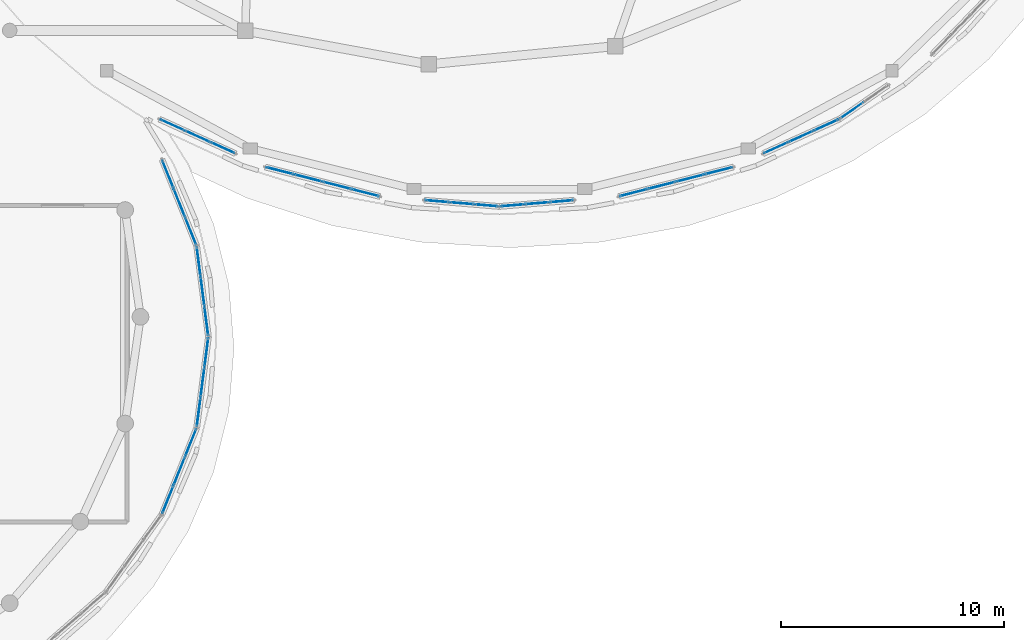
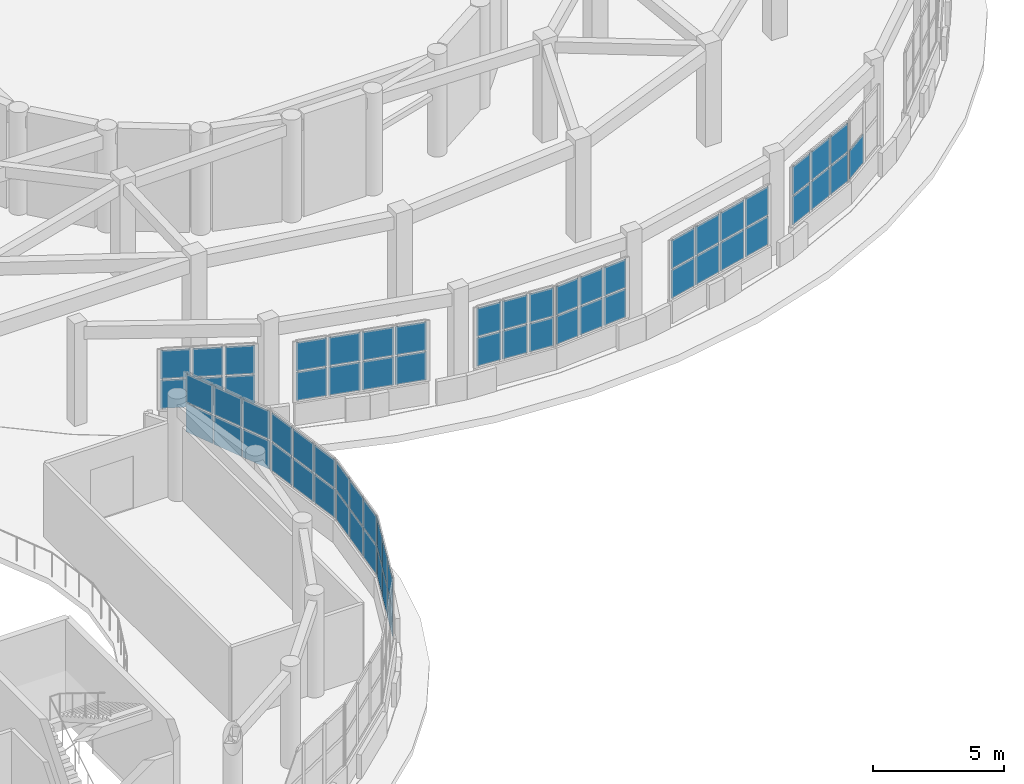
# One storey, part 60 of 98: 65 plates, 11 elements without a shape of their own.
"""IFC4 building model written with IfcOpenShell, lengths in metres."""

from ifc_helpers import new_model, si_unit, direction, frame, origin, origin_2d, place, context, subcontext, project, spatial, rectangle, extrude, material, layer, layer_set, type_object, element, aggregate, save


model = new_model("IFC4")

# Units and contexts
model_context = context("Model", 3, precision=1e-05, world=origin(), true_north=direction((0.0, 1.0)))
body_context = subcontext(model_context, "Body", "Model", "MODEL_VIEW")
ifc_project = project(units=[si_unit("LENGTHUNIT", "METRE"), si_unit("AREAUNIT", "SQUARE_METRE"), si_unit("VOLUMEUNIT", "CUBIC_METRE"), si_unit("PLANEANGLEUNIT", "RADIAN"), si_unit("MASSUNIT", "GRAM", prefix="KILO")], contexts=[model_context])

# Site, building, storey
site_placement = place(None, origin())
site = spatial("IfcSite", under=ifc_project, at=site_placement, CompositionType="ELEMENT")
building_placement = place(site_placement, origin())
building = spatial("IfcBuilding", under=site, at=building_placement, Name="Pelvatis Terrace Science Centre", CompositionType="ELEMENT")
storey_placement = place(building_placement, frame((0.0, 0.0, 5.39990234375)))
storey = spatial("IfcBuildingStorey", under=building, at=storey_placement, Name="L01", CompositionType="ELEMENT", Elevation=5.39990234375)

# Curtain wall, plates
ifc_material_1 = material(Name="Bronze-anodised aluminium and laminated glass", Category="aluminium")
ifc_layer_1 = layer(ifc_material_1, 0.199951171875)
ifc_layer_set_1 = layer_set([ifc_layer_1], Name="Bronze-anodised aluminium and laminated glass")
curtain_wall_type = type_object("IfcCurtainWallType", Name="CW-RIBBON-B", PredefinedType="NOTDEFINED", material=ifc_layer_set_1)
curtain_wall_1_placement = place(storey_placement, origin())
curtain_wall_1 = element("IfcCurtainWall", 1, at=curtain_wall_1_placement, inside=storey, type_object=curtain_wall_type, Name="Ribbon curtain wall CW-060 (L01)", PredefinedType="NOTDEFINED")
ifc_material_2 = material(Name="Low-e laminated solar-control double glazing", Category="glass")
ifc_layer_2 = layer(ifc_material_2, 0.031982421875)
ifc_layer_set_2 = layer_set([ifc_layer_2], Name="Low-e laminated solar-control double glazing")
plate_type = type_object("IfcPlateType", Name="CWP-IGU-32", PredefinedType="CURTAIN_PANEL", material=ifc_layer_set_2)
plate_1_placement = place(storey_placement, frame((97.9599609375, 54.396728515625, 1.0849609375), z_axis=(0.0, 0.0, 1.0), x_axis=(-0.128191740674, 0.991749402633, 0.0)))
plate_1 = element("IfcPlate", 2, at=plate_1_placement, type_object=plate_type, Name="CW-060 panel 1.1", PredefinedType="CURTAIN_PANEL", context=body_context, shape_type="SweptSolid", body=[
    extrude(rectangle(XDim=1.27490234375, YDim=0.031982421875, at=origin_2d()), origin(), (0.0, 0.0, 1.0), 1.322509765625),
])
plate_2_placement = place(storey_placement, frame((97.9599609375, 54.396728515625, 2.47265625), z_axis=(0.0, 0.0, 1.0), x_axis=(-0.128191740674, 0.991749402633, 0.0)))
plate_2 = element("IfcPlate", 3, at=plate_2_placement, type_object=plate_type, Name="CW-060 panel 1.2", PredefinedType="CURTAIN_PANEL", context=body_context, shape_type="SweptSolid", body=[
    extrude(rectangle(XDim=1.27490234375, YDim=0.031982421875, at=origin_2d()), origin(), (0.0, 0.0, 1.0), 1.322509765625),
])
plate_3_placement = place(storey_placement, frame((97.7861328125, 55.74169921875, 1.0849609375), z_axis=(0.0, 0.0, 1.0), x_axis=(-0.128191740674, 0.991749402633, 0.0)))
plate_3 = element("IfcPlate", 4, at=plate_3_placement, type_object=plate_type, Name="CW-060 panel 2.1", PredefinedType="CURTAIN_PANEL", context=body_context, shape_type="SweptSolid", body=[
    extrude(rectangle(XDim=1.307373046875, YDim=0.031982421875, at=origin_2d()), origin(), (0.0, 0.0, 1.0), 1.322509765625),
])
plate_4_placement = place(storey_placement, frame((97.7861328125, 55.74169921875, 2.47265625), z_axis=(0.0, 0.0, 1.0), x_axis=(-0.128191740674, 0.991749402633, 0.0)))
plate_4 = element("IfcPlate", 5, at=plate_4_placement, type_object=plate_type, Name="CW-060 panel 2.2", PredefinedType="CURTAIN_PANEL", context=body_context, shape_type="SweptSolid", body=[
    extrude(rectangle(XDim=1.307373046875, YDim=0.031982421875, at=origin_2d()), origin(), (0.0, 0.0, 1.0), 1.322509765625),
])
plate_5_placement = place(storey_placement, frame((97.6123046875, 57.086669921875, 1.0849609375), z_axis=(0.0, 0.0, 1.0), x_axis=(-0.128191740674, 0.991749402633, 0.0)))
plate_5 = element("IfcPlate", 6, at=plate_5_placement, type_object=plate_type, Name="CW-060 panel 3.1", PredefinedType="CURTAIN_PANEL", context=body_context, shape_type="SweptSolid", body=[
    extrude(rectangle(XDim=1.27490234375, YDim=0.031982421875, at=origin_2d()), origin(), (0.0, 0.0, 1.0), 1.322509765625),
])
plate_6_placement = place(storey_placement, frame((97.6123046875, 57.086669921875, 2.47265625), z_axis=(0.0, 0.0, 1.0), x_axis=(-0.128191740674, 0.991749402633, 0.0)))
plate_6 = element("IfcPlate", 7, at=plate_6_placement, type_object=plate_type, Name="CW-060 panel 3.2", PredefinedType="CURTAIN_PANEL", context=body_context, shape_type="SweptSolid", body=[
    extrude(rectangle(XDim=1.27490234375, YDim=0.031982421875, at=origin_2d()), origin(), (0.0, 0.0, 1.0), 1.322509765625),
])
aggregate(curtain_wall_1, [plate_1, plate_2, plate_3, plate_4, plate_5, plate_6])

curtain_wall_2_placement = place(storey_placement, origin())
curtain_wall_2 = element("IfcCurtainWall", 8, at=curtain_wall_2_placement, inside=storey, type_object=curtain_wall_type, Name="Ribbon curtain wall CW-061 (L01)", PredefinedType="NOTDEFINED")
plate_7_placement = place(storey_placement, frame((97.256591796875, 58.44482421875, 1.0849609375), z_axis=(0.0, 0.0, 1.0), x_axis=(-0.372504278349, 0.928030475045, 0.0)))
plate_7 = element("IfcPlate", 9, at=plate_7_placement, type_object=plate_type, Name="CW-061 panel 1.1", PredefinedType="CURTAIN_PANEL", context=body_context, shape_type="SweptSolid", body=[
    extrude(rectangle(XDim=1.295654296875, YDim=0.031982421875, at=origin_2d()), origin(), (0.0, 0.0, 1.0), 1.322509765625),
])
plate_8_placement = place(storey_placement, frame((97.256591796875, 58.44482421875, 2.47265625), z_axis=(0.0, 0.0, 1.0), x_axis=(-0.372504278349, 0.928030475045, 0.0)))
plate_8 = element("IfcPlate", 10, at=plate_8_placement, type_object=plate_type, Name="CW-061 panel 1.2", PredefinedType="CURTAIN_PANEL", context=body_context, shape_type="SweptSolid", body=[
    extrude(rectangle(XDim=1.295654296875, YDim=0.031982421875, at=origin_2d()), origin(), (0.0, 0.0, 1.0), 1.322509765625),
])
plate_9_placement = place(storey_placement, frame((96.743896484375, 59.72265625, 1.0849609375), z_axis=(0.0, 0.0, 1.0), x_axis=(-0.372504278349, 0.928030475045, 0.0)))
plate_9 = element("IfcPlate", 11, at=plate_9_placement, type_object=plate_type, Name="CW-061 panel 2.1", PredefinedType="CURTAIN_PANEL", context=body_context, shape_type="SweptSolid", body=[
    extrude(rectangle(XDim=1.328125, YDim=0.031982421875, at=origin_2d()), origin(), (0.0, 0.0, 1.0), 1.322509765625),
])
plate_10_placement = place(storey_placement, frame((96.743896484375, 59.72265625, 2.47265625), z_axis=(0.0, 0.0, 1.0), x_axis=(-0.372504278349, 0.928030475045, 0.0)))
plate_10 = element("IfcPlate", 12, at=plate_10_placement, type_object=plate_type, Name="CW-061 panel 2.2", PredefinedType="CURTAIN_PANEL", context=body_context, shape_type="SweptSolid", body=[
    extrude(rectangle(XDim=1.328125, YDim=0.031982421875, at=origin_2d()), origin(), (0.0, 0.0, 1.0), 1.322509765625),
])
plate_11_placement = place(storey_placement, frame((96.23095703125, 61.000244140625, 1.0849609375), z_axis=(0.0, 0.0, 1.0), x_axis=(-0.372504278349, 0.928030475045, 0.0)))
plate_11 = element("IfcPlate", 13, at=plate_11_placement, type_object=plate_type, Name="CW-061 panel 3.1", PredefinedType="CURTAIN_PANEL", context=body_context, shape_type="SweptSolid", body=[
    extrude(rectangle(XDim=1.295654296875, YDim=0.031982421875, at=origin_2d()), origin(), (0.0, 0.0, 1.0), 1.322509765625),
])
plate_12_placement = place(storey_placement, frame((96.23095703125, 61.000244140625, 2.47265625), z_axis=(0.0, 0.0, 1.0), x_axis=(-0.372504278349, 0.928030475045, 0.0)))
plate_12 = element("IfcPlate", 14, at=plate_12_placement, type_object=plate_type, Name="CW-061 panel 3.2", PredefinedType="CURTAIN_PANEL", context=body_context, shape_type="SweptSolid", body=[
    extrude(rectangle(XDim=1.295654296875, YDim=0.031982421875, at=origin_2d()), origin(), (0.0, 0.0, 1.0), 1.322509765625),
])
aggregate(curtain_wall_2, [plate_7, plate_8, plate_9, plate_10, plate_11, plate_12])

curtain_wall_3_placement = place(storey_placement, origin())
curtain_wall_3 = element("IfcCurtainWall", 15, at=curtain_wall_3_placement, inside=storey, type_object=curtain_wall_type, Name="Ribbon curtain wall CW-075 (L01)", PredefinedType="NOTDEFINED")
plate_13_placement = place(storey_placement, frame((96.23095703125, 46.399658203125, 1.0849609375), z_axis=(0.0, 0.0, 1.0), x_axis=(0.372504278349, 0.928030475045, 0.0)))
plate_13 = element("IfcPlate", 16, at=plate_13_placement, type_object=plate_type, Name="CW-075 panel 1.1", PredefinedType="CURTAIN_PANEL", context=body_context, shape_type="SweptSolid", body=[
    extrude(rectangle(XDim=1.295654296875, YDim=0.031982421875, at=origin_2d()), origin(), (0.0, 0.0, 1.0), 1.322509765625),
])
plate_14_placement = place(storey_placement, frame((96.23095703125, 46.399658203125, 2.47265625), z_axis=(0.0, 0.0, 1.0), x_axis=(0.372504278349, 0.928030475045, 0.0)))
plate_14 = element("IfcPlate", 17, at=plate_14_placement, type_object=plate_type, Name="CW-075 panel 1.2", PredefinedType="CURTAIN_PANEL", context=body_context, shape_type="SweptSolid", body=[
    extrude(rectangle(XDim=1.295654296875, YDim=0.031982421875, at=origin_2d()), origin(), (0.0, 0.0, 1.0), 1.322509765625),
])
plate_15_placement = place(storey_placement, frame((96.743896484375, 47.677490234375, 1.0849609375), z_axis=(0.0, 0.0, 1.0), x_axis=(0.372504278349, 0.928030475045, 0.0)))
plate_15 = element("IfcPlate", 18, at=plate_15_placement, type_object=plate_type, Name="CW-075 panel 2.1", PredefinedType="CURTAIN_PANEL", context=body_context, shape_type="SweptSolid", body=[
    extrude(rectangle(XDim=1.328125, YDim=0.031982421875, at=origin_2d()), origin(), (0.0, 0.0, 1.0), 1.322509765625),
])
plate_16_placement = place(storey_placement, frame((96.743896484375, 47.677490234375, 2.47265625), z_axis=(0.0, 0.0, 1.0), x_axis=(0.372504278349, 0.928030475045, 0.0)))
plate_16 = element("IfcPlate", 19, at=plate_16_placement, type_object=plate_type, Name="CW-075 panel 2.2", PredefinedType="CURTAIN_PANEL", context=body_context, shape_type="SweptSolid", body=[
    extrude(rectangle(XDim=1.328125, YDim=0.031982421875, at=origin_2d()), origin(), (0.0, 0.0, 1.0), 1.322509765625),
])
plate_17_placement = place(storey_placement, frame((97.256591796875, 48.955322265625, 1.0849609375), z_axis=(0.0, 0.0, 1.0), x_axis=(0.372504278349, 0.928030475045, 0.0)))
plate_17 = element("IfcPlate", 20, at=plate_17_placement, type_object=plate_type, Name="CW-075 panel 3.1", PredefinedType="CURTAIN_PANEL", context=body_context, shape_type="SweptSolid", body=[
    extrude(rectangle(XDim=1.295654296875, YDim=0.031982421875, at=origin_2d()), origin(), (0.0, 0.0, 1.0), 1.322509765625),
])
plate_18_placement = place(storey_placement, frame((97.256591796875, 48.955322265625, 2.47265625), z_axis=(0.0, 0.0, 1.0), x_axis=(0.372504278349, 0.928030475045, 0.0)))
plate_18 = element("IfcPlate", 21, at=plate_18_placement, type_object=plate_type, Name="CW-075 panel 3.2", PredefinedType="CURTAIN_PANEL", context=body_context, shape_type="SweptSolid", body=[
    extrude(rectangle(XDim=1.295654296875, YDim=0.031982421875, at=origin_2d()), origin(), (0.0, 0.0, 1.0), 1.322509765625),
])
aggregate(curtain_wall_3, [plate_13, plate_14, plate_15, plate_16, plate_17, plate_18])

curtain_wall_4_placement = place(storey_placement, origin())
curtain_wall_4 = element("IfcCurtainWall", 22, at=curtain_wall_4_placement, inside=storey, type_object=curtain_wall_type, Name="Ribbon curtain wall CW-076 (L01)", PredefinedType="NOTDEFINED")
plate_19_placement = place(storey_placement, frame((97.6123046875, 50.3134765625, 1.0849609375), z_axis=(0.0, 0.0, 1.0), x_axis=(0.128191740674, 0.991749402633, 0.0)))
plate_19 = element("IfcPlate", 23, at=plate_19_placement, type_object=plate_type, Name="CW-076 panel 1.1", PredefinedType="CURTAIN_PANEL", context=body_context, shape_type="SweptSolid", body=[
    extrude(rectangle(XDim=1.27490234375, YDim=0.031982421875, at=origin_2d()), origin(), (0.0, 0.0, 1.0), 1.322509765625),
])
plate_20_placement = place(storey_placement, frame((97.6123046875, 50.3134765625, 2.47265625), z_axis=(0.0, 0.0, 1.0), x_axis=(0.128191740674, 0.991749402633, 0.0)))
plate_20 = element("IfcPlate", 24, at=plate_20_placement, type_object=plate_type, Name="CW-076 panel 1.2", PredefinedType="CURTAIN_PANEL", context=body_context, shape_type="SweptSolid", body=[
    extrude(rectangle(XDim=1.27490234375, YDim=0.031982421875, at=origin_2d()), origin(), (0.0, 0.0, 1.0), 1.322509765625),
])
plate_21_placement = place(storey_placement, frame((97.7861328125, 51.658447265625, 1.0849609375), z_axis=(0.0, 0.0, 1.0), x_axis=(0.128191740674, 0.991749402633, 0.0)))
plate_21 = element("IfcPlate", 25, at=plate_21_placement, type_object=plate_type, Name="CW-076 panel 2.1", PredefinedType="CURTAIN_PANEL", context=body_context, shape_type="SweptSolid", body=[
    extrude(rectangle(XDim=1.307373046875, YDim=0.031982421875, at=origin_2d()), origin(), (0.0, 0.0, 1.0), 1.322509765625),
])
plate_22_placement = place(storey_placement, frame((97.7861328125, 51.658447265625, 2.47265625), z_axis=(0.0, 0.0, 1.0), x_axis=(0.128191740674, 0.991749402633, 0.0)))
plate_22 = element("IfcPlate", 26, at=plate_22_placement, type_object=plate_type, Name="CW-076 panel 2.2", PredefinedType="CURTAIN_PANEL", context=body_context, shape_type="SweptSolid", body=[
    extrude(rectangle(XDim=1.307373046875, YDim=0.031982421875, at=origin_2d()), origin(), (0.0, 0.0, 1.0), 1.322509765625),
])
plate_23_placement = place(storey_placement, frame((97.9599609375, 53.00341796875, 1.0849609375), z_axis=(0.0, 0.0, 1.0), x_axis=(0.128191740674, 0.991749402633, 0.0)))
plate_23 = element("IfcPlate", 27, at=plate_23_placement, type_object=plate_type, Name="CW-076 panel 3.1", PredefinedType="CURTAIN_PANEL", context=body_context, shape_type="SweptSolid", body=[
    extrude(rectangle(XDim=1.27490234375, YDim=0.031982421875, at=origin_2d()), origin(), (0.0, 0.0, 1.0), 1.322509765625),
])
plate_24_placement = place(storey_placement, frame((97.9599609375, 53.00341796875, 2.47265625), z_axis=(0.0, 0.0, 1.0), x_axis=(0.128191740674, 0.991749402633, 0.0)))
plate_24 = element("IfcPlate", 28, at=plate_24_placement, type_object=plate_type, Name="CW-076 panel 3.2", PredefinedType="CURTAIN_PANEL", context=body_context, shape_type="SweptSolid", body=[
    extrude(rectangle(XDim=1.27490234375, YDim=0.031982421875, at=origin_2d()), origin(), (0.0, 0.0, 1.0), 1.322509765625),
])
aggregate(curtain_wall_4, [plate_19, plate_20, plate_21, plate_22, plate_23, plate_24])

curtain_wall_5_placement = place(storey_placement, origin())
curtain_wall_5 = element("IfcCurtainWall", 29, at=curtain_wall_5_placement, inside=storey, type_object=curtain_wall_type, Name="Ribbon curtain wall CW-144 (L01)", PredefinedType="NOTDEFINED")
plate_25_placement = place(storey_placement, frame((96.4345703125, 63.203369140625, 1.0849609375), z_axis=(0.0, 0.0, 1.0), x_axis=(0.910989098671, -0.412430433047, 0.0)))
plate_25 = element("IfcPlate", 30, at=plate_25_placement, type_object=plate_type, Name="CW-144 panel 1.1", PredefinedType="CURTAIN_PANEL", context=body_context, shape_type="SweptSolid", body=[
    extrude(rectangle(XDim=1.154541015625, YDim=0.031982421875, at=origin_2d()), origin(), (0.0, 0.0, 1.0), 1.322509765625),
])
plate_26_placement = place(storey_placement, frame((96.4345703125, 63.203369140625, 2.47265625), z_axis=(0.0, 0.0, 1.0), x_axis=(0.910989098671, -0.412430433047, 0.0)))
plate_26 = element("IfcPlate", 31, at=plate_26_placement, type_object=plate_type, Name="CW-144 panel 1.2", PredefinedType="CURTAIN_PANEL", context=body_context, shape_type="SweptSolid", body=[
    extrude(rectangle(XDim=1.154541015625, YDim=0.031982421875, at=origin_2d()), origin(), (0.0, 0.0, 1.0), 1.322509765625),
])
plate_27_placement = place(storey_placement, frame((97.560546875, 62.69384765625, 1.0849609375), z_axis=(0.0, 0.0, 1.0), x_axis=(0.910989098671, -0.412430433047, 0.0)))
plate_27 = element("IfcPlate", 32, at=plate_27_placement, type_object=plate_type, Name="CW-144 panel 2.1", PredefinedType="CURTAIN_PANEL", context=body_context, shape_type="SweptSolid", body=[
    extrude(rectangle(XDim=1.18701171875, YDim=0.031982421875, at=origin_2d()), origin(), (0.0, 0.0, 1.0), 1.322509765625),
])
plate_28_placement = place(storey_placement, frame((97.560546875, 62.69384765625, 2.47265625), z_axis=(0.0, 0.0, 1.0), x_axis=(0.910989098671, -0.412430433047, 0.0)))
plate_28 = element("IfcPlate", 33, at=plate_28_placement, type_object=plate_type, Name="CW-144 panel 2.2", PredefinedType="CURTAIN_PANEL", context=body_context, shape_type="SweptSolid", body=[
    extrude(rectangle(XDim=1.18701171875, YDim=0.031982421875, at=origin_2d()), origin(), (0.0, 0.0, 1.0), 1.322509765625),
])
plate_29_placement = place(storey_placement, frame((98.686279296875, 62.18408203125, 1.0849609375), z_axis=(0.0, 0.0, 1.0), x_axis=(0.910989098671, -0.412430433047, 0.0)))
plate_29 = element("IfcPlate", 34, at=plate_29_placement, type_object=plate_type, Name="CW-144 panel 3.1", PredefinedType="CURTAIN_PANEL", context=body_context, shape_type="SweptSolid", body=[
    extrude(rectangle(XDim=1.154541015625, YDim=0.031982421875, at=origin_2d()), origin(), (0.0, 0.0, 1.0), 1.322509765625),
])
plate_30_placement = place(storey_placement, frame((98.686279296875, 62.18408203125, 2.47265625), z_axis=(0.0, 0.0, 1.0), x_axis=(0.910989098671, -0.412430433047, 0.0)))
plate_30 = element("IfcPlate", 35, at=plate_30_placement, type_object=plate_type, Name="CW-144 panel 3.2", PredefinedType="CURTAIN_PANEL", context=body_context, shape_type="SweptSolid", body=[
    extrude(rectangle(XDim=1.154541015625, YDim=0.031982421875, at=origin_2d()), origin(), (0.0, 0.0, 1.0), 1.322509765625),
])
aggregate(curtain_wall_5, [plate_25, plate_26, plate_27, plate_28, plate_29, plate_30])

curtain_wall_6_placement = place(storey_placement, origin())
curtain_wall_6 = element("IfcCurtainWall", 36, at=curtain_wall_6_placement, inside=storey, type_object=curtain_wall_type, Name="Ribbon curtain wall CW-145 (L01)", PredefinedType="NOTDEFINED")
plate_31_placement = place(storey_placement, frame((101.254638671875, 61.150390625, 1.0849609375), z_axis=(0.0, 0.0, 1.0), x_axis=(0.968540871852, -0.248854534923, 0.0)))
plate_31 = element("IfcPlate", 37, at=plate_31_placement, type_object=plate_type, Name="CW-145 panel 1.1", PredefinedType="CURTAIN_PANEL", context=body_context, shape_type="SweptSolid", body=[
    extrude(rectangle(XDim=1.231689453125, YDim=0.031982421875, at=origin_2d()), origin(), (0.0, 0.0, 1.0), 1.322509765625),
])
plate_32_placement = place(storey_placement, frame((101.254638671875, 61.150390625, 2.47265625), z_axis=(0.0, 0.0, 1.0), x_axis=(0.968540871852, -0.248854534923, 0.0)))
plate_32 = element("IfcPlate", 38, at=plate_32_placement, type_object=plate_type, Name="CW-145 panel 1.2", PredefinedType="CURTAIN_PANEL", context=body_context, shape_type="SweptSolid", body=[
    extrude(rectangle(XDim=1.231689453125, YDim=0.031982421875, at=origin_2d()), origin(), (0.0, 0.0, 1.0), 1.322509765625),
])
plate_33_placement = place(storey_placement, frame((102.5263671875, 60.82373046875, 1.0849609375), z_axis=(0.0, 0.0, 1.0), x_axis=(0.968540871852, -0.248854534923, 0.0)))
plate_33 = element("IfcPlate", 39, at=plate_33_placement, type_object=plate_type, Name="CW-145 panel 2.1", PredefinedType="CURTAIN_PANEL", context=body_context, shape_type="SweptSolid", body=[
    extrude(rectangle(XDim=1.26416015625, YDim=0.031982421875, at=origin_2d()), origin(), (0.0, 0.0, 1.0), 1.322509765625),
])
plate_34_placement = place(storey_placement, frame((102.5263671875, 60.82373046875, 2.47265625), z_axis=(0.0, 0.0, 1.0), x_axis=(0.968540871852, -0.248854534923, 0.0)))
plate_34 = element("IfcPlate", 40, at=plate_34_placement, type_object=plate_type, Name="CW-145 panel 2.2", PredefinedType="CURTAIN_PANEL", context=body_context, shape_type="SweptSolid", body=[
    extrude(rectangle(XDim=1.26416015625, YDim=0.031982421875, at=origin_2d()), origin(), (0.0, 0.0, 1.0), 1.322509765625),
])
plate_35_placement = place(storey_placement, frame((103.813720703125, 60.492919921875, 1.0849609375), z_axis=(0.0, 0.0, 1.0), x_axis=(0.968540871852, -0.248854534923, 0.0)))
plate_35 = element("IfcPlate", 41, at=plate_35_placement, type_object=plate_type, Name="CW-145 panel 3.1", PredefinedType="CURTAIN_PANEL", context=body_context, shape_type="SweptSolid", body=[
    extrude(rectangle(XDim=1.26416015625, YDim=0.031982421875, at=origin_2d()), origin(), (0.0, 0.0, 1.0), 1.322509765625),
])
plate_36_placement = place(storey_placement, frame((103.813720703125, 60.492919921875, 2.47265625), z_axis=(0.0, 0.0, 1.0), x_axis=(0.968540871852, -0.248854534923, 0.0)))
plate_36 = element("IfcPlate", 42, at=plate_36_placement, type_object=plate_type, Name="CW-145 panel 3.2", PredefinedType="CURTAIN_PANEL", context=body_context, shape_type="SweptSolid", body=[
    extrude(rectangle(XDim=1.26416015625, YDim=0.031982421875, at=origin_2d()), origin(), (0.0, 0.0, 1.0), 1.322509765625),
])
plate_37_placement = place(storey_placement, frame((105.08544921875, 60.166015625, 1.0849609375), z_axis=(0.0, 0.0, 1.0), x_axis=(0.968540871852, -0.248854534923, 0.0)))
plate_37 = element("IfcPlate", 43, at=plate_37_placement, type_object=plate_type, Name="CW-145 panel 4.1", PredefinedType="CURTAIN_PANEL", context=body_context, shape_type="SweptSolid", body=[
    extrude(rectangle(XDim=1.231689453125, YDim=0.031982421875, at=origin_2d()), origin(), (0.0, 0.0, 1.0), 1.322509765625),
])
plate_38_placement = place(storey_placement, frame((105.08544921875, 60.166015625, 2.47265625), z_axis=(0.0, 0.0, 1.0), x_axis=(0.968540871852, -0.248854534923, 0.0)))
plate_38 = element("IfcPlate", 44, at=plate_38_placement, type_object=plate_type, Name="CW-145 panel 4.2", PredefinedType="CURTAIN_PANEL", context=body_context, shape_type="SweptSolid", body=[
    extrude(rectangle(XDim=1.231689453125, YDim=0.031982421875, at=origin_2d()), origin(), (0.0, 0.0, 1.0), 1.322509765625),
])
aggregate(curtain_wall_6, [plate_31, plate_32, plate_33, plate_34, plate_35, plate_36, plate_37, plate_38])

curtain_wall_7_placement = place(storey_placement, origin())
curtain_wall_7 = element("IfcCurtainWall", 45, at=curtain_wall_7_placement, inside=storey, type_object=curtain_wall_type, Name="Ribbon curtain wall CW-146 (L01)", PredefinedType="NOTDEFINED")
plate_39_placement = place(storey_placement, frame((108.309326171875, 59.78271484375, 1.0849609375), z_axis=(0.0, 0.0, 1.0), x_axis=(0.99653820465, -0.083136073241, 0.0)))
plate_39 = element("IfcPlate", 46, at=plate_39_placement, type_object=plate_type, Name="CW-146 panel 1.1", PredefinedType="CURTAIN_PANEL", context=body_context, shape_type="SweptSolid", body=[
    extrude(rectangle(XDim=1.029052734375, YDim=0.031982421875, at=origin_2d()), origin(), (0.0, 0.0, 1.0), 1.322509765625),
])
plate_40_placement = place(storey_placement, frame((108.309326171875, 59.78271484375, 2.47265625), z_axis=(0.0, 0.0, 1.0), x_axis=(0.99653820465, -0.083136073241, 0.0)))
plate_40 = element("IfcPlate", 47, at=plate_40_placement, type_object=plate_type, Name="CW-146 panel 1.2", PredefinedType="CURTAIN_PANEL", context=body_context, shape_type="SweptSolid", body=[
    extrude(rectangle(XDim=1.029052734375, YDim=0.031982421875, at=origin_2d()), origin(), (0.0, 0.0, 1.0), 1.322509765625),
])
plate_41_placement = place(storey_placement, frame((109.415771484375, 59.6904296875, 1.0849609375), z_axis=(0.0, 0.0, 1.0), x_axis=(0.99653820465, -0.083136073241, 0.0)))
plate_41 = element("IfcPlate", 48, at=plate_41_placement, type_object=plate_type, Name="CW-146 panel 2.1", PredefinedType="CURTAIN_PANEL", context=body_context, shape_type="SweptSolid", body=[
    extrude(rectangle(XDim=1.061767578125, YDim=0.031982421875, at=origin_2d()), origin(), (0.0, 0.0, 1.0), 1.322509765625),
])
plate_42_placement = place(storey_placement, frame((109.415771484375, 59.6904296875, 2.47265625), z_axis=(0.0, 0.0, 1.0), x_axis=(0.99653820465, -0.083136073241, 0.0)))
plate_42 = element("IfcPlate", 49, at=plate_42_placement, type_object=plate_type, Name="CW-146 panel 2.2", PredefinedType="CURTAIN_PANEL", context=body_context, shape_type="SweptSolid", body=[
    extrude(rectangle(XDim=1.061767578125, YDim=0.031982421875, at=origin_2d()), origin(), (0.0, 0.0, 1.0), 1.322509765625),
])
plate_43_placement = place(storey_placement, frame((110.5224609375, 59.59814453125, 1.0849609375), z_axis=(0.0, 0.0, 1.0), x_axis=(0.99653820465, -0.083136073241, 0.0)))
plate_43 = element("IfcPlate", 50, at=plate_43_placement, type_object=plate_type, Name="CW-146 panel 3.1", PredefinedType="CURTAIN_PANEL", context=body_context, shape_type="SweptSolid", body=[
    extrude(rectangle(XDim=1.029052734375, YDim=0.031982421875, at=origin_2d()), origin(), (0.0, 0.0, 1.0), 1.322509765625),
])
plate_44_placement = place(storey_placement, frame((110.5224609375, 59.59814453125, 2.47265625), z_axis=(0.0, 0.0, 1.0), x_axis=(0.99653820465, -0.083136073241, 0.0)))
plate_44 = element("IfcPlate", 51, at=plate_44_placement, type_object=plate_type, Name="CW-146 panel 3.2", PredefinedType="CURTAIN_PANEL", context=body_context, shape_type="SweptSolid", body=[
    extrude(rectangle(XDim=1.029052734375, YDim=0.031982421875, at=origin_2d()), origin(), (0.0, 0.0, 1.0), 1.322509765625),
])
aggregate(curtain_wall_7, [plate_39, plate_40, plate_41, plate_42, plate_43, plate_44])

curtain_wall_8_placement = place(storey_placement, origin())
curtain_wall_8 = element("IfcCurtainWall", 52, at=curtain_wall_8_placement, inside=storey, type_object=curtain_wall_type, Name="Ribbon curtain wall CW-147 (L01)", PredefinedType="NOTDEFINED")
plate_45_placement = place(storey_placement, frame((111.677490234375, 59.59814453125, 1.0849609375), z_axis=(0.0, 0.0, 1.0), x_axis=(0.99653820465, 0.083136073241, 0.0)))
plate_45 = element("IfcPlate", 53, at=plate_45_placement, type_object=plate_type, Name="CW-147 panel 1.1", PredefinedType="CURTAIN_PANEL", context=body_context, shape_type="SweptSolid", body=[
    extrude(rectangle(XDim=1.029052734375, YDim=0.031982421875, at=origin_2d()), origin(), (0.0, 0.0, 1.0), 1.322509765625),
])
plate_46_placement = place(storey_placement, frame((111.677490234375, 59.59814453125, 2.47265625), z_axis=(0.0, 0.0, 1.0), x_axis=(0.99653820465, 0.083136073241, 0.0)))
plate_46 = element("IfcPlate", 54, at=plate_46_placement, type_object=plate_type, Name="CW-147 panel 1.2", PredefinedType="CURTAIN_PANEL", context=body_context, shape_type="SweptSolid", body=[
    extrude(rectangle(XDim=1.029052734375, YDim=0.031982421875, at=origin_2d()), origin(), (0.0, 0.0, 1.0), 1.322509765625),
])
plate_47_placement = place(storey_placement, frame((112.7841796875, 59.6904296875, 1.0849609375), z_axis=(0.0, 0.0, 1.0), x_axis=(0.99653820465, 0.083136073241, 0.0)))
plate_47 = element("IfcPlate", 55, at=plate_47_placement, type_object=plate_type, Name="CW-147 panel 2.1", PredefinedType="CURTAIN_PANEL", context=body_context, shape_type="SweptSolid", body=[
    extrude(rectangle(XDim=1.061767578125, YDim=0.031982421875, at=origin_2d()), origin(), (0.0, 0.0, 1.0), 1.322509765625),
])
plate_48_placement = place(storey_placement, frame((112.7841796875, 59.6904296875, 2.47265625), z_axis=(0.0, 0.0, 1.0), x_axis=(0.99653820465, 0.083136073241, 0.0)))
plate_48 = element("IfcPlate", 56, at=plate_48_placement, type_object=plate_type, Name="CW-147 panel 2.2", PredefinedType="CURTAIN_PANEL", context=body_context, shape_type="SweptSolid", body=[
    extrude(rectangle(XDim=1.061767578125, YDim=0.031982421875, at=origin_2d()), origin(), (0.0, 0.0, 1.0), 1.322509765625),
])
plate_49_placement = place(storey_placement, frame((113.890625, 59.78271484375, 1.0849609375), z_axis=(0.0, 0.0, 1.0), x_axis=(0.99653820465, 0.083136073241, 0.0)))
plate_49 = element("IfcPlate", 57, at=plate_49_placement, type_object=plate_type, Name="CW-147 panel 3.1", PredefinedType="CURTAIN_PANEL", context=body_context, shape_type="SweptSolid", body=[
    extrude(rectangle(XDim=1.029052734375, YDim=0.031982421875, at=origin_2d()), origin(), (0.0, 0.0, 1.0), 1.322509765625),
])
plate_50_placement = place(storey_placement, frame((113.890625, 59.78271484375, 2.47265625), z_axis=(0.0, 0.0, 1.0), x_axis=(0.99653820465, 0.083136073241, 0.0)))
plate_50 = element("IfcPlate", 58, at=plate_50_placement, type_object=plate_type, Name="CW-147 panel 3.2", PredefinedType="CURTAIN_PANEL", context=body_context, shape_type="SweptSolid", body=[
    extrude(rectangle(XDim=1.029052734375, YDim=0.031982421875, at=origin_2d()), origin(), (0.0, 0.0, 1.0), 1.322509765625),
])
aggregate(curtain_wall_8, [plate_45, plate_46, plate_47, plate_48, plate_49, plate_50])

curtain_wall_9_placement = place(storey_placement, origin())
curtain_wall_9 = element("IfcCurtainWall", 59, at=curtain_wall_9_placement, inside=storey, type_object=curtain_wall_type, Name="Ribbon curtain wall CW-148 (L01)", PredefinedType="NOTDEFINED")
plate_51_placement = place(storey_placement, frame((117.11474609375, 60.166015625, 1.0849609375), z_axis=(0.0, 0.0, 1.0), x_axis=(0.968540871852, 0.248854534923, 0.0)))
plate_51 = element("IfcPlate", 60, at=plate_51_placement, type_object=plate_type, Name="CW-148 panel 1.1", PredefinedType="CURTAIN_PANEL", context=body_context, shape_type="SweptSolid", body=[
    extrude(rectangle(XDim=1.231689453125, YDim=0.031982421875, at=origin_2d()), origin(), (0.0, 0.0, 1.0), 1.322509765625),
])
plate_52_placement = place(storey_placement, frame((117.11474609375, 60.166015625, 2.47265625), z_axis=(0.0, 0.0, 1.0), x_axis=(0.968540871852, 0.248854534923, 0.0)))
plate_52 = element("IfcPlate", 61, at=plate_52_placement, type_object=plate_type, Name="CW-148 panel 1.2", PredefinedType="CURTAIN_PANEL", context=body_context, shape_type="SweptSolid", body=[
    extrude(rectangle(XDim=1.231689453125, YDim=0.031982421875, at=origin_2d()), origin(), (0.0, 0.0, 1.0), 1.322509765625),
])
plate_53_placement = place(storey_placement, frame((118.38623046875, 60.492919921875, 1.0849609375), z_axis=(0.0, 0.0, 1.0), x_axis=(0.968540871852, 0.248854534923, 0.0)))
plate_53 = element("IfcPlate", 62, at=plate_53_placement, type_object=plate_type, Name="CW-148 panel 2.1", PredefinedType="CURTAIN_PANEL", context=body_context, shape_type="SweptSolid", body=[
    extrude(rectangle(XDim=1.26416015625, YDim=0.031982421875, at=origin_2d()), origin(), (0.0, 0.0, 1.0), 1.322509765625),
])
plate_54_placement = place(storey_placement, frame((118.38623046875, 60.492919921875, 2.47265625), z_axis=(0.0, 0.0, 1.0), x_axis=(0.968540871852, 0.248854534923, 0.0)))
plate_54 = element("IfcPlate", 63, at=plate_54_placement, type_object=plate_type, Name="CW-148 panel 2.2", PredefinedType="CURTAIN_PANEL", context=body_context, shape_type="SweptSolid", body=[
    extrude(rectangle(XDim=1.26416015625, YDim=0.031982421875, at=origin_2d()), origin(), (0.0, 0.0, 1.0), 1.322509765625),
])
plate_55_placement = place(storey_placement, frame((119.673583984375, 60.82373046875, 1.0849609375), z_axis=(0.0, 0.0, 1.0), x_axis=(0.968540871852, 0.248854534923, 0.0)))
plate_55 = element("IfcPlate", 64, at=plate_55_placement, type_object=plate_type, Name="CW-148 panel 3.1", PredefinedType="CURTAIN_PANEL", context=body_context, shape_type="SweptSolid", body=[
    extrude(rectangle(XDim=1.26416015625, YDim=0.031982421875, at=origin_2d()), origin(), (0.0, 0.0, 1.0), 1.322509765625),
])
plate_56_placement = place(storey_placement, frame((119.673583984375, 60.82373046875, 2.47265625), z_axis=(0.0, 0.0, 1.0), x_axis=(0.968540871852, 0.248854534923, 0.0)))
plate_56 = element("IfcPlate", 65, at=plate_56_placement, type_object=plate_type, Name="CW-148 panel 3.2", PredefinedType="CURTAIN_PANEL", context=body_context, shape_type="SweptSolid", body=[
    extrude(rectangle(XDim=1.26416015625, YDim=0.031982421875, at=origin_2d()), origin(), (0.0, 0.0, 1.0), 1.322509765625),
])
plate_57_placement = place(storey_placement, frame((120.9453125, 61.150390625, 1.0849609375), z_axis=(0.0, 0.0, 1.0), x_axis=(0.968540871852, 0.248854534923, 0.0)))
plate_57 = element("IfcPlate", 66, at=plate_57_placement, type_object=plate_type, Name="CW-148 panel 4.1", PredefinedType="CURTAIN_PANEL", context=body_context, shape_type="SweptSolid", body=[
    extrude(rectangle(XDim=1.231689453125, YDim=0.031982421875, at=origin_2d()), origin(), (0.0, 0.0, 1.0), 1.322509765625),
])
plate_58_placement = place(storey_placement, frame((120.9453125, 61.150390625, 2.47265625), z_axis=(0.0, 0.0, 1.0), x_axis=(0.968540871852, 0.248854534923, 0.0)))
plate_58 = element("IfcPlate", 67, at=plate_58_placement, type_object=plate_type, Name="CW-148 panel 4.2", PredefinedType="CURTAIN_PANEL", context=body_context, shape_type="SweptSolid", body=[
    extrude(rectangle(XDim=1.231689453125, YDim=0.031982421875, at=origin_2d()), origin(), (0.0, 0.0, 1.0), 1.322509765625),
])
aggregate(curtain_wall_9, [plate_51, plate_52, plate_53, plate_54, plate_55, plate_56, plate_57, plate_58])

curtain_wall_10_placement = place(storey_placement, origin())
curtain_wall_10 = element("IfcCurtainWall", 68, at=curtain_wall_10_placement, inside=storey, type_object=curtain_wall_type, Name="Ribbon curtain wall CW-149 (L01)", PredefinedType="NOTDEFINED")
plate_59_placement = place(storey_placement, frame((123.513671875, 62.18408203125, 1.0849609375), z_axis=(0.0, 0.0, 1.0), x_axis=(0.910989098671, 0.412430433047, 0.0)))
plate_59 = element("IfcPlate", 69, at=plate_59_placement, type_object=plate_type, Name="CW-149 panel 1.1", PredefinedType="CURTAIN_PANEL", context=body_context, shape_type="SweptSolid", body=[
    extrude(rectangle(XDim=1.154541015625, YDim=0.031982421875, at=origin_2d()), origin(), (0.0, 0.0, 1.0), 1.322509765625),
])
plate_60_placement = place(storey_placement, frame((123.513671875, 62.18408203125, 2.47265625), z_axis=(0.0, 0.0, 1.0), x_axis=(0.910989098671, 0.412430433047, 0.0)))
plate_60 = element("IfcPlate", 70, at=plate_60_placement, type_object=plate_type, Name="CW-149 panel 1.2", PredefinedType="CURTAIN_PANEL", context=body_context, shape_type="SweptSolid", body=[
    extrude(rectangle(XDim=1.154541015625, YDim=0.031982421875, at=origin_2d()), origin(), (0.0, 0.0, 1.0), 1.322509765625),
])
plate_61_placement = place(storey_placement, frame((124.6396484375, 62.69384765625, 1.0849609375), z_axis=(0.0, 0.0, 1.0), x_axis=(0.910989098671, 0.412430433047, 0.0)))
plate_61 = element("IfcPlate", 71, at=plate_61_placement, type_object=plate_type, Name="CW-149 panel 2.1", PredefinedType="CURTAIN_PANEL", context=body_context, shape_type="SweptSolid", body=[
    extrude(rectangle(XDim=1.18701171875, YDim=0.031982421875, at=origin_2d()), origin(), (0.0, 0.0, 1.0), 1.322509765625),
])
plate_62_placement = place(storey_placement, frame((124.6396484375, 62.69384765625, 2.47265625), z_axis=(0.0, 0.0, 1.0), x_axis=(0.910989098671, 0.412430433047, 0.0)))
plate_62 = element("IfcPlate", 72, at=plate_62_placement, type_object=plate_type, Name="CW-149 panel 2.2", PredefinedType="CURTAIN_PANEL", context=body_context, shape_type="SweptSolid", body=[
    extrude(rectangle(XDim=1.18701171875, YDim=0.031982421875, at=origin_2d()), origin(), (0.0, 0.0, 1.0), 1.322509765625),
])
plate_63_placement = place(storey_placement, frame((125.765380859375, 63.203369140625, 1.0849609375), z_axis=(0.0, 0.0, 1.0), x_axis=(0.910989098671, 0.412430433047, 0.0)))
plate_63 = element("IfcPlate", 73, at=plate_63_placement, type_object=plate_type, Name="CW-149 panel 3.1", PredefinedType="CURTAIN_PANEL", context=body_context, shape_type="SweptSolid", body=[
    extrude(rectangle(XDim=1.154541015625, YDim=0.031982421875, at=origin_2d()), origin(), (0.0, 0.0, 1.0), 1.322509765625),
])
plate_64_placement = place(storey_placement, frame((125.765380859375, 63.203369140625, 2.47265625), z_axis=(0.0, 0.0, 1.0), x_axis=(0.910989098671, 0.412430433047, 0.0)))
plate_64 = element("IfcPlate", 74, at=plate_64_placement, type_object=plate_type, Name="CW-149 panel 3.2", PredefinedType="CURTAIN_PANEL", context=body_context, shape_type="SweptSolid", body=[
    extrude(rectangle(XDim=1.154541015625, YDim=0.031982421875, at=origin_2d()), origin(), (0.0, 0.0, 1.0), 1.322509765625),
])
aggregate(curtain_wall_10, [plate_59, plate_60, plate_61, plate_62, plate_63, plate_64])

# Curtain wall, plate
curtain_wall_11_placement = place(storey_placement, origin())
curtain_wall_11 = element("IfcCurtainWall", 75, at=curtain_wall_11_placement, inside=storey, type_object=curtain_wall_type, Name="Ribbon curtain wall CW-150 (L01)", PredefinedType="NOTDEFINED")
plate_65_placement = place(storey_placement, frame((126.914794921875, 63.860595703125, 1.0849609375), z_axis=(0.0, 0.0, 1.0), x_axis=(0.821107117619, 0.570774124672, 0.0)))
plate_65 = element("IfcPlate", 76, at=plate_65_placement, type_object=plate_type, Name="CW-150 panel 1.1", PredefinedType="CURTAIN_PANEL", context=body_context, shape_type="SweptSolid", body=[
    extrude(rectangle(XDim=1.24462890625, YDim=0.031982421875, at=origin_2d()), origin(), (0.0, 0.0, 1.0), 1.322509765625),
])
aggregate(curtain_wall_11, [plate_65])

save(model, "model.ifc")
